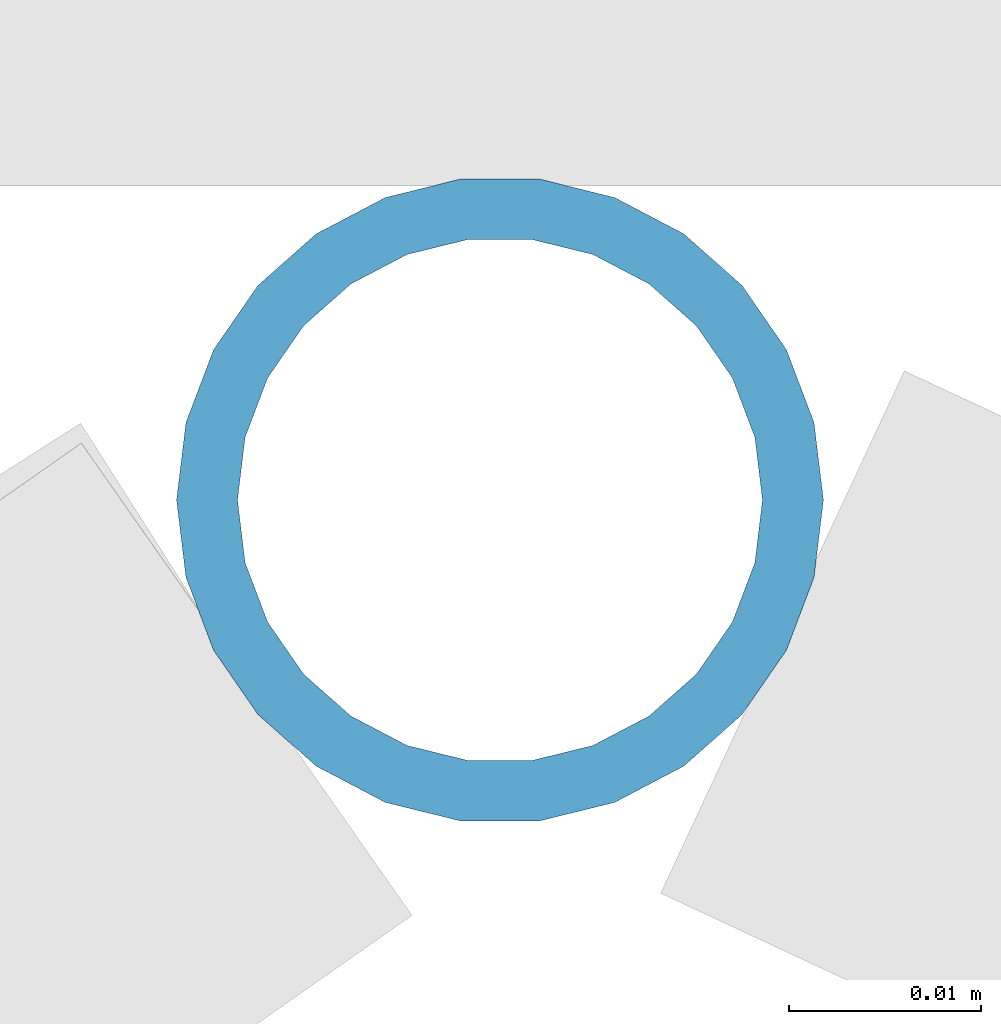
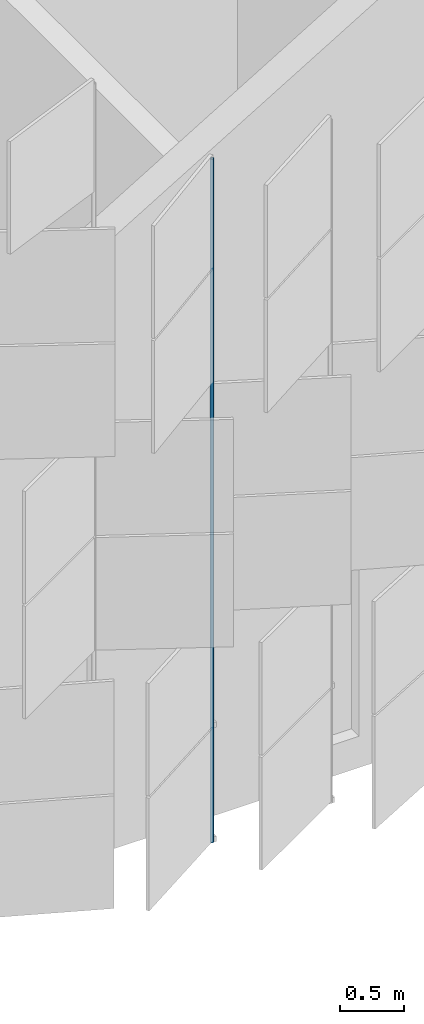
# One storey, part 162 of 483: 1 discrete accessory.
"""IFC4 building model written with IfcOpenShell, lengths in metres."""

from ifc_helpers import new_model, si_unit, direction, frame, origin, origin_2d, place, context, subcontext, project, spatial, hollow_circle, extrude, material, material_profile, profile_set, type_object, element, save


model = new_model("IFC4")

# Units and contexts
model_context = context("Model", 3, precision=1e-05, world=origin(), true_north=direction((0.0, 1.0)))
body_context = subcontext(model_context, "Body", "Model", "MODEL_VIEW")
ifc_project = project(units=[si_unit("LENGTHUNIT", "METRE"), si_unit("AREAUNIT", "SQUARE_METRE"), si_unit("VOLUMEUNIT", "CUBIC_METRE"), si_unit("PLANEANGLEUNIT", "RADIAN"), si_unit("MASSUNIT", "GRAM", prefix="KILO")], contexts=[model_context])

# Site, building, storey
site_placement = place(None, origin())
site = spatial("IfcSite", under=ifc_project, at=site_placement, CompositionType="ELEMENT")
building_placement = place(site_placement, origin())
building = spatial("IfcBuilding", under=site, at=building_placement, Name="Parallax Yard Mobility Hub", CompositionType="ELEMENT")
storey_placement = place(building_placement, frame((0.0, 0.0, 13.199951171875)))
storey = spatial("IfcBuildingStorey", under=building, at=storey_placement, Name="L04", CompositionType="ELEMENT", Elevation=13.199951171875)

# Discrete accessory
ifc_material = material(Name="Steel ASTM A500 Gr C, hot-dip galvanised", Category="steel")
ifc_material_profile = material_profile(ifc_material, hollow_circle(Radius=0.016845703125, WallThickness=0.003173828125, at=origin_2d()), Name="CHS 33.7x3.2")
ifc_profile_set = profile_set([ifc_material_profile], Name="Steel ASTM A500 Gr C, hot-dip galvanised")
discrete_accessory_type = type_object("IfcDiscreteAccessoryType", Name="Hinge post CHS 33.7x3.2", PredefinedType="BRACKET", material=ifc_profile_set)
discrete_accessory_placement = place(storey_placement, frame((134.992431640625, 112.199951171875, 0.0), z_axis=(0.0, 0.0, 1.0), x_axis=(1.0, 0.0, 0.0)))
element("IfcDiscreteAccessory", 1, at=discrete_accessory_placement, inside=storey, type_object=discrete_accessory_type, Name="Hinge post bay 13.8 level L04", PredefinedType="BRACKET", context=body_context, shape_type="SweptSolid", body=[
    extrude(hollow_circle(Radius=0.016845703125, WallThickness=0.003173828125, at=origin_2d()), origin(), (0.0, 0.0, 1.0), 6.550048828125),
])

save(model, "model.ifc")
